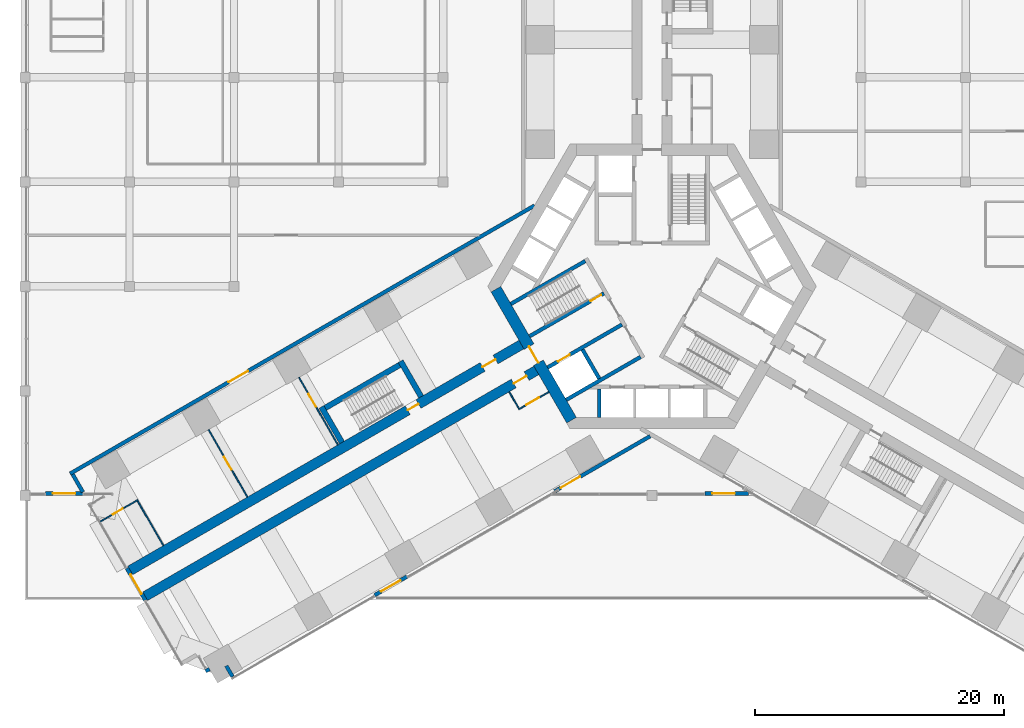
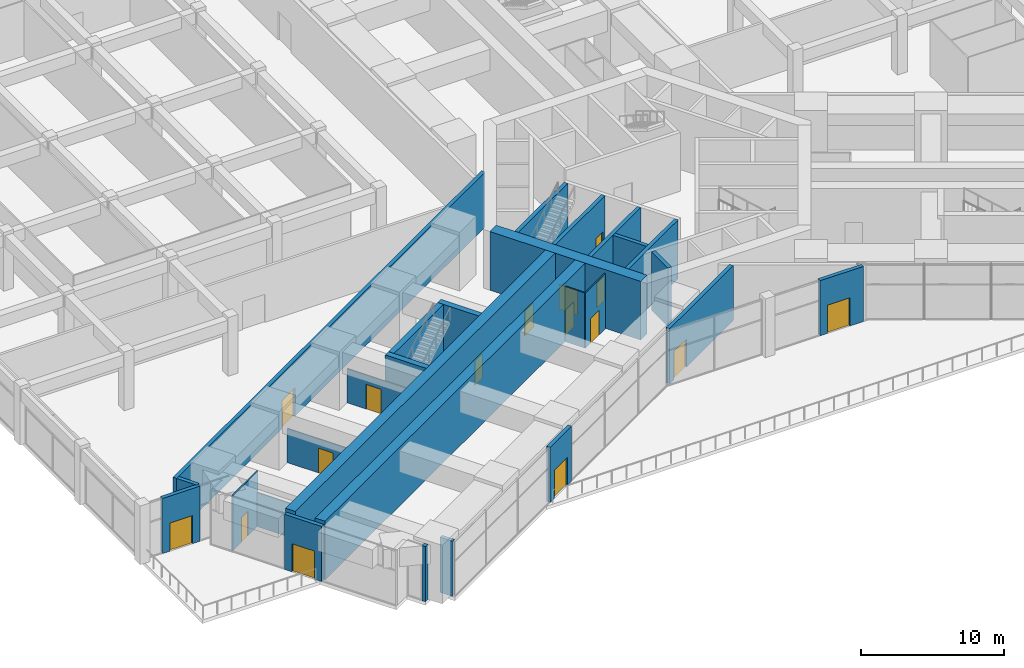
# One storey, part 27 of 34: 27 walls, 16 doors, 16 openings.
"""IFC4 building model written with IfcOpenShell, lengths in metres."""

from ifc_helpers import new_model, si_unit, direction, frame, frame_2d, origin, place, context, subcontext, project, spatial, rectangle, extrude, material, layer, layer_set, type_object, element, fill, save


model = new_model("IFC4")

# Units and contexts
model_context = context("Model", 3, precision=1e-05, world=origin(), true_north=direction((0.0, 1.0)))
body_context = subcontext(model_context, "Body", "Model", "MODEL_VIEW")
ifc_project = project(units=[si_unit("LENGTHUNIT", "METRE"), si_unit("AREAUNIT", "SQUARE_METRE"), si_unit("VOLUMEUNIT", "CUBIC_METRE"), si_unit("PLANEANGLEUNIT", "RADIAN"), si_unit("MASSUNIT", "GRAM", prefix="KILO")], contexts=[model_context])

# Site, building, storey
site_placement = place(None, origin())
site = spatial("IfcSite", under=ifc_project, at=site_placement, CompositionType="ELEMENT")
building_placement = place(site_placement, origin())
building = spatial("IfcBuilding", under=site, at=building_placement, Name="Impinga Residences", CompositionType="ELEMENT")
storey_placement = place(building_placement, frame((0.0, 0.0, 16.0)))
storey = spatial("IfcBuildingStorey", under=building, at=storey_placement, Name="L03", CompositionType="ELEMENT", Elevation=16.0)

# Wall, opening, door
ifc_material_1 = material(Name="Concrete C70/85", Category="concrete")
ifc_layer_1 = layer(ifc_material_1, 0.800048828125)
ifc_layer_set_1 = layer_set([ifc_layer_1], Name="Concrete C70/85")
wall_type_1 = type_object("IfcWallType", Name="BW0 corridor buttress wall, B3 to L04 800", PredefinedType="SHEAR", material=ifc_layer_set_1)
wall_1_placement = place(storey_placement, frame((-8.910400390625, -6.530029296875, 0.0), z_axis=(0.0, 0.0, 1.0), x_axis=(-0.866025284237, -0.500000207062, 0.0)))
wall_1 = element("IfcWall", 1, at=wall_1_placement, inside=storey, type_object=wall_type_1, Name="Corridor wall BW0 WC L03", PredefinedType="SHEAR", context=body_context, shape_type="SweptSolid", body=[
    extrude(rectangle(XDim=36.75, YDim=0.800048828125, at=frame_2d((18.375, 0.0))), origin(), (0.0, 0.0, 1.0), 5.0),
])
opening_1_placement = place(wall_1_placement, frame((1.35009765625, 0.0, 0.0)))
opening_1 = element("IfcOpeningElement", 2, at=opening_1_placement, cuts=wall_1, Name="Opening D3", PredefinedType="OPENING", context=body_context, shape_type="SweptSolid", body=[
    extrude(rectangle(XDim=1.199951171875, YDim=2.10009765625, at=frame_2d((0.60009765625, 1.050048828125))), frame((0.0, 0.409912109375, 0.0), z_axis=(0.0, -1.0, 0.0), x_axis=(1.0, 0.0, 0.0)), (0.0, 0.0, 1.0), 0.820068359375),
])
ifc_material_2 = material(Name="Timber door set", Category="wood")
door_type_1 = type_object("IfcDoorType", Name="D3 room door, leaf and a half 1200x2100", OperationType="DOUBLE_SWING_LEFT", PredefinedType="DOOR", material=ifc_material_2)
door_1_placement = place(opening_1_placement, origin())
door_1 = element("IfcDoor", 3, at=door_1_placement, inside=storey, type_object=door_type_1, Name="Store lobby door L03-WA1", OperationType="DOUBLE_SWING_LEFT", OverallHeight=2.10009765625, OverallWidth=1.199951171875, PredefinedType="DOOR", context=body_context, shape_type="SweptSolid", body=[
    extrude(rectangle(XDim=1.199951171875, YDim=2.10009765625, at=frame_2d((0.60009765625, 1.050048828125))), frame((0.0, 0.02490234375, 0.0), z_axis=(0.0, -1.0, 0.0), x_axis=(1.0, 0.0, 0.0)), (0.0, 0.0, 1.0), 0.050048828125),
])
fill(opening_1, door_1)

# Wall, openings, doors
wall_2_placement = place(storey_placement, frame((-10.1103515625, -4.451416015625, 0.0), z_axis=(0.0, 0.0, 1.0), x_axis=(-0.866025284237, -0.500000207062, 0.0)))
wall_2 = element("IfcWall", 4, at=wall_2_placement, inside=storey, type_object=wall_type_1, Name="Corridor wall BW0 WD L03", PredefinedType="SHEAR", context=body_context, shape_type="SweptSolid", body=[
    extrude(rectangle(XDim=36.75, YDim=0.800048828125, at=frame_2d((18.375, 0.0))), origin(), (0.0, 0.0, 1.0), 5.0),
])
opening_2_placement = place(wall_2_placement, frame((10.0, 0.0, 0.0)))
opening_2 = element("IfcOpeningElement", 5, at=opening_2_placement, cuts=wall_2, Name="Opening D5", PredefinedType="OPENING", context=body_context, shape_type="SweptSolid", body=[
    extrude(rectangle(XDim=1.0, YDim=2.10009765625, at=frame_2d((0.5, 1.050048828125))), frame((0.0, 0.409912109375, 0.0), z_axis=(0.0, -1.0, 0.0), x_axis=(1.0, 0.0, 0.0)), (0.0, 0.0, 1.0), 0.820068359375),
])
opening_3_placement = place(wall_2_placement, frame((2.85009765625, 0.0, 0.0)))
opening_3 = element("IfcOpeningElement", 6, at=opening_3_placement, cuts=wall_2, Name="Opening D3", PredefinedType="OPENING", context=body_context, shape_type="SweptSolid", body=[
    extrude(rectangle(XDim=1.199951171875, YDim=2.10009765625, at=frame_2d((0.60009765625, 1.050048828125))), frame((0.0, 0.409912109375, 0.0), z_axis=(0.0, -1.0, 0.0), x_axis=(1.0, 0.0, 0.0)), (0.0, 0.0, 1.0), 0.820068359375),
])
door_2_placement = place(opening_3_placement, origin())
door_2 = element("IfcDoor", 7, at=door_2_placement, inside=storey, type_object=door_type_1, Name="Bridal suite door L03-WF1", OperationType="DOUBLE_SWING_LEFT", OverallHeight=2.10009765625, OverallWidth=1.199951171875, PredefinedType="DOOR", context=body_context, shape_type="SweptSolid", body=[
    extrude(rectangle(XDim=1.199951171875, YDim=2.10009765625, at=frame_2d((0.60009765625, 1.050048828125))), frame((0.0, 0.02490234375, 0.0), z_axis=(0.0, -1.0, 0.0), x_axis=(1.0, 0.0, 0.0)), (0.0, 0.0, 1.0), 0.050048828125),
])
fill(opening_3, door_2)
door_type_2 = type_object("IfcDoorType", Name="D5 stair door 1000x2100", OperationType="SINGLE_SWING_LEFT", PredefinedType="DOOR", material=ifc_material_2)
door_3_placement = place(opening_2_placement, origin())
door_3 = element("IfcDoor", 8, at=door_3_placement, inside=storey, type_object=door_type_2, Name="Wing stair door W", OperationType="SINGLE_SWING_LEFT", OverallHeight=2.10009765625, OverallWidth=1.0, PredefinedType="DOOR", context=body_context, shape_type="SweptSolid", body=[
    extrude(rectangle(XDim=1.0, YDim=2.10009765625, at=frame_2d((0.5, 1.050048828125))), frame((0.0, 0.02490234375, 0.0), z_axis=(0.0, -1.0, 0.0), x_axis=(1.0, 0.0, 0.0)), (0.0, 0.0, 1.0), 0.050048828125),
])
fill(opening_2, door_3)

# Wall, opening, door
ifc_material_3 = material(Name="Concrete blockwork", Category="masonry")
ifc_layer_2 = layer(ifc_material_3, 0.10009765625)
ifc_layer_set_2 = layer_set([ifc_layer_2], Name="CP1 core room partition, blockwork 100")
wall_type_2 = type_object("IfcWallType", Name="CP1 core room partition, blockwork 100", PredefinedType="PARTITIONING", material=ifc_layer_set_2)
wall_3_placement = place(storey_placement, frame((-8.300048828125, -8.487060546875, 0.0), z_axis=(0.0, 0.0, 1.0), x_axis=(-0.866034573852, -0.49998411664, 0.0)))
wall_3 = element("IfcWall", 9, at=wall_3_placement, inside=storey, type_object=wall_type_2, Name="Core room partition, blockwork L03-WA1:L1", PredefinedType="PARTITIONING", context=body_context, shape_type="SweptSolid", body=[
    extrude(rectangle(XDim=2.7998046875, YDim=0.10009765625, at=frame_2d((1.39990234375, 0.0))), origin(), (0.0, 0.0, 1.0), 4.699951171875),
])
opening_4_placement = place(wall_3_placement, frame((0.89990234375, 0.0, 0.0)))
opening_4 = element("IfcOpeningElement", 10, at=opening_4_placement, cuts=wall_3, Name="Opening D3", PredefinedType="OPENING", context=body_context, shape_type="SweptSolid", body=[
    extrude(rectangle(XDim=1.199951171875, YDim=2.10009765625, at=frame_2d((0.60009765625, 1.050048828125))), frame((0.0, 0.06005859375, 0.0), z_axis=(0.0, -1.0, 0.0), x_axis=(1.0, 0.0, 0.0)), (0.0, 0.0, 1.0), 0.1201171875),
])
door_4_placement = place(opening_4_placement, origin())
door_4 = element("IfcDoor", 11, at=door_4_placement, inside=storey, type_object=door_type_1, Name="Store door L03-WA1", OperationType="DOUBLE_SWING_LEFT", OverallHeight=2.10009765625, OverallWidth=1.199951171875, PredefinedType="DOOR", context=body_context, shape_type="SweptSolid", body=[
    extrude(rectangle(XDim=1.199951171875, YDim=2.10009765625, at=frame_2d((0.60009765625, 1.050048828125))), frame((0.0, 0.02490234375, 0.0), z_axis=(0.0, -1.0, 0.0), x_axis=(1.0, 0.0, 0.0)), (0.0, 0.0, 1.0), 0.050048828125),
])
fill(opening_4, door_4)

# Wall
wall_4_placement = place(storey_placement, frame((-11.481689453125, -8.476318359375, 0.0), z_axis=(0.0, 0.0, 1.0), x_axis=(0.500017819788, -0.86601511528, 0.0)))
element("IfcWall", 12, at=wall_4_placement, inside=storey, type_object=wall_type_2, Name="Core room partition, blockwork L03-WA1:L2", PredefinedType="PARTITIONING", context=body_context, shape_type="SweptSolid", body=[
    extrude(rectangle(XDim=1.55029296875, YDim=0.10009765625, at=frame_2d((0.775146484375, 0.0))), origin(), (0.0, 0.0, 1.0), 4.699951171875),
])

# Wall, opening, door
wall_5_placement = place(storey_placement, frame((-25.249267578125, -12.730224609375, 0.0), z_axis=(0.0, 0.0, 1.0), x_axis=(-0.499987320047, 0.866032724435, 0.0)))
wall_5 = element("IfcWall", 13, at=wall_5_placement, inside=storey, type_object=wall_type_2, Name="Core room partition, blockwork L03-WF1:PS1", PredefinedType="PARTITIONING", context=body_context, shape_type="SweptSolid", body=[
    extrude(rectangle(XDim=6.250244140625, YDim=0.10009765625, at=frame_2d((3.125, 0.0))), origin(), (0.0, 0.0, 1.0), 2.89990234375),
])
opening_5_placement = place(wall_5_placement, frame((3.52490234375, 0.0, 0.0)))
opening_5 = element("IfcOpeningElement", 14, at=opening_5_placement, cuts=wall_5, Name="Opening D3", PredefinedType="OPENING", context=body_context, shape_type="SweptSolid", body=[
    extrude(rectangle(XDim=1.199951171875, YDim=2.10009765625, at=frame_2d((0.60009765625, 1.050048828125))), frame((0.0, 0.06005859375, 0.0), z_axis=(0.0, -1.0, 0.0), x_axis=(1.0, 0.0, 0.0)), (0.0, 0.0, 1.0), 0.1201171875),
])
door_5_placement = place(opening_5_placement, origin())
door_5 = element("IfcDoor", 15, at=door_5_placement, inside=storey, type_object=door_type_1, Name="Dressing room door L03-WF1", OperationType="DOUBLE_SWING_LEFT", OverallHeight=2.10009765625, OverallWidth=1.199951171875, PredefinedType="DOOR", context=body_context, shape_type="SweptSolid", body=[
    extrude(rectangle(XDim=1.199951171875, YDim=2.10009765625, at=frame_2d((0.60009765625, 1.050048828125))), frame((0.0, 0.02490234375, 0.0), z_axis=(0.0, -1.0, 0.0), x_axis=(1.0, 0.0, 0.0)), (0.0, 0.0, 1.0), 0.050048828125),
])
fill(opening_5, door_5)

wall_6_placement = place(storey_placement, frame((-32.52392578125, -16.93017578125, 0.0), z_axis=(0.0, 0.0, 1.0), x_axis=(-0.500004234368, 0.866022959057, 0.0)))
wall_6 = element("IfcWall", 16, at=wall_6_placement, inside=storey, type_object=wall_type_2, Name="Core room partition, blockwork L03-WF1:PS2", PredefinedType="PARTITIONING", context=body_context, shape_type="SweptSolid", body=[
    extrude(rectangle(XDim=6.25, YDim=0.10009765625, at=frame_2d((3.125, 0.0))), origin(), (0.0, 0.0, 1.0), 2.89990234375),
])
opening_6_placement = place(wall_6_placement, frame((2.52490234375, 0.0, 0.0)))
opening_6 = element("IfcOpeningElement", 17, at=opening_6_placement, cuts=wall_6, Name="Opening D3", PredefinedType="OPENING", context=body_context, shape_type="SweptSolid", body=[
    extrude(rectangle(XDim=1.199951171875, YDim=2.10009765625, at=frame_2d((0.60009765625, 1.050048828125))), frame((0.0, 0.06005859375, 0.0), z_axis=(0.0, -1.0, 0.0), x_axis=(1.0, 0.0, 0.0)), (0.0, 0.0, 1.0), 0.1201171875),
])
door_6_placement = place(opening_6_placement, origin())
door_6 = element("IfcDoor", 18, at=door_6_placement, inside=storey, type_object=door_type_1, Name="Bridal lounge door L03-WF1", OperationType="DOUBLE_SWING_LEFT", OverallHeight=2.10009765625, OverallWidth=1.199951171875, PredefinedType="DOOR", context=body_context, shape_type="SweptSolid", body=[
    extrude(rectangle(XDim=1.199951171875, YDim=2.10009765625, at=frame_2d((0.60009765625, 1.050048828125))), frame((0.0, 0.02490234375, 0.0), z_axis=(0.0, -1.0, 0.0), x_axis=(1.0, 0.0, 0.0)), (0.0, 0.0, 1.0), 0.050048828125),
])
fill(opening_6, door_6)

# Wall
ifc_material_4 = material(Name="Stone facing on blockwork", Category="masonry")
ifc_layer_3 = layer(ifc_material_4, 0.300048828125)
ifc_layer_set_3 = layer_set([ifc_layer_3], Name="EW2 external wall, stone facing on blockwork 300")
wall_type_3 = type_object("IfcWallType", Name="EW2 external wall, stone facing on blockwork 300", PredefinedType="SOLIDWALL", material=ifc_layer_set_3)
wall_7_placement = place(storey_placement, frame((-35.572021484375, -30.756591796875, 0.0), z_axis=(0.0, 0.0, 1.0), x_axis=(-0.865939549016, -0.500148675346, 0.0)))
element("IfcWall", 19, at=wall_7_placement, inside=storey, type_object=wall_type_3, Name="External wall EW2 L03", PredefinedType="SOLIDWALL", context=body_context, shape_type="SweptSolid", body=[
    extrude(rectangle(XDim=0.34716796875, YDim=0.300048828125, at=frame_2d((0.173583984375, 0.0))), origin(), (0.0, 0.0, 1.0), 4.699951171875),
])

# Wall, opening, door
wall_8_placement = place(storey_placement, frame((-40.716552734375, -25.23974609375, 0.0), z_axis=(0.0, 0.0, 1.0), x_axis=(-0.50002537861, 0.866010750942, 0.0)))
wall_8 = element("IfcWall", 20, at=wall_8_placement, inside=storey, type_object=wall_type_3, Name="External wall EW2 L03", PredefinedType="SOLIDWALL", context=body_context, shape_type="SweptSolid", body=[
    extrude(rectangle(XDim=2.999755859375, YDim=0.300048828125, at=frame_2d((1.5, 0.0))), origin(), (0.0, 0.0, 1.0), 4.699951171875),
])
opening_7_placement = place(wall_8_placement, frame((0.60009765625, 0.0, 0.0)))
opening_7 = element("IfcOpeningElement", 21, at=opening_7_placement, cuts=wall_8, Name="Opening TD2", PredefinedType="OPENING", context=body_context, shape_type="SweptSolid", body=[
    extrude(rectangle(XDim=1.800048828125, YDim=2.39990234375, at=frame_2d((0.89990234375, 1.199951171875))), frame((0.0, 0.159912109375, 0.0), z_axis=(0.0, -1.0, 0.0), x_axis=(1.0, 0.0, 0.0)), (0.0, 0.0, 1.0), 0.320068359375),
])
ifc_material_5 = material(Name="Glazed aluminium door", Category="aluminium")
door_type_3 = type_object("IfcDoorType", Name="TD2 terrace door pair 1800x2400", OperationType="DOUBLE_DOOR_SINGLE_SWING", PredefinedType="DOOR", material=ifc_material_5)
door_7_placement = place(opening_7_placement, origin())
door_7 = element("IfcDoor", 22, at=door_7_placement, inside=storey, type_object=door_type_3, Name="Terrace doors L03", OperationType="DOUBLE_DOOR_SINGLE_SWING", OverallHeight=2.39990234375, OverallWidth=1.800048828125, PredefinedType="DOOR", context=body_context, shape_type="SweptSolid", body=[
    extrude(rectangle(XDim=1.800048828125, YDim=2.39990234375, at=frame_2d((0.89990234375, 1.199951171875))), frame((0.0, 0.02490234375, 0.0), z_axis=(0.0, -1.0, 0.0), x_axis=(1.0, 0.0, 0.0)), (0.0, 0.0, 1.0), 0.050048828125),
])
fill(opening_7, door_7)

wall_9_placement = place(storey_placement, frame((-45.749267578125, -16.64990234375, 0.0), z_axis=(0.0, 0.0, 1.0), x_axis=(-1.0, 0.0, 0.0)))
wall_9 = element("IfcWall", 23, at=wall_9_placement, inside=storey, type_object=wall_type_3, Name="External wall EW2 L03", PredefinedType="SOLIDWALL", context=body_context, shape_type="SweptSolid", body=[
    extrude(rectangle(XDim=3.0, YDim=0.300048828125, at=frame_2d((1.5, 0.0))), origin(), (0.0, 0.0, 1.0), 4.699951171875),
])
opening_8_placement = place(wall_9_placement, frame((0.60009765625, 0.0, 0.0)))
opening_8 = element("IfcOpeningElement", 24, at=opening_8_placement, cuts=wall_9, Name="Opening TD2", PredefinedType="OPENING", context=body_context, shape_type="SweptSolid", body=[
    extrude(rectangle(XDim=1.800048828125, YDim=2.39990234375, at=frame_2d((0.89990234375, 1.199951171875))), frame((0.0, 0.159912109375, 0.0), z_axis=(0.0, -1.0, 0.0), x_axis=(1.0, 0.0, 0.0)), (0.0, 0.0, 1.0), 0.320068359375),
])
door_8_placement = place(opening_8_placement, origin())
door_8 = element("IfcDoor", 25, at=door_8_placement, inside=storey, type_object=door_type_3, Name="Terrace doors L03", OperationType="DOUBLE_DOOR_SINGLE_SWING", OverallHeight=2.39990234375, OverallWidth=1.800048828125, PredefinedType="DOOR", context=body_context, shape_type="SweptSolid", body=[
    extrude(rectangle(XDim=1.800048828125, YDim=2.39990234375, at=frame_2d((0.89990234375, 1.199951171875))), frame((0.0, 0.02490234375, 0.0), z_axis=(0.0, -1.0, 0.0), x_axis=(1.0, 0.0, 0.0)), (0.0, 0.0, 1.0), 0.050048828125),
])
fill(opening_8, door_8)

wall_10_placement = place(storey_placement, frame((7.740966796875, -16.64990234375, 0.0), z_axis=(0.0, 0.0, 1.0), x_axis=(-1.0, 0.0, 0.0)))
wall_10 = element("IfcWall", 26, at=wall_10_placement, inside=storey, type_object=wall_type_3, Name="External wall EW2 L03", PredefinedType="SOLIDWALL", context=body_context, shape_type="SweptSolid", body=[
    extrude(rectangle(XDim=3.489501953125, YDim=0.300048828125, at=frame_2d((1.74462890625, 0.0))), origin(), (0.0, 0.0, 1.0), 4.699951171875),
])
opening_9_placement = place(wall_10_placement, frame((1.08935546875, 0.0, 0.0)))
opening_9 = element("IfcOpeningElement", 27, at=opening_9_placement, cuts=wall_10, Name="Opening TD2", PredefinedType="OPENING", context=body_context, shape_type="SweptSolid", body=[
    extrude(rectangle(XDim=1.800048828125, YDim=2.39990234375, at=frame_2d((0.89990234375, 1.199951171875))), frame((0.0, 0.159912109375, 0.0), z_axis=(0.0, -1.0, 0.0), x_axis=(1.0, 0.0, 0.0)), (0.0, 0.0, 1.0), 0.320068359375),
])
door_9_placement = place(opening_9_placement, origin())
door_9 = element("IfcDoor", 28, at=door_9_placement, inside=storey, type_object=door_type_3, Name="Terrace doors L03", OperationType="DOUBLE_DOOR_SINGLE_SWING", OverallHeight=2.39990234375, OverallWidth=1.800048828125, PredefinedType="DOOR", context=body_context, shape_type="SweptSolid", body=[
    extrude(rectangle(XDim=1.800048828125, YDim=2.39990234375, at=frame_2d((0.89990234375, 1.199951171875))), frame((0.0, 0.02490234375, 0.0), z_axis=(0.0, -1.0, 0.0), x_axis=(1.0, 0.0, 0.0)), (0.0, 0.0, 1.0), 0.050048828125),
])
fill(opening_9, door_9)

wall_11_placement = place(storey_placement, frame((-19.699462890625, -23.32470703125, 0.0), z_axis=(0.0, 0.0, 1.0), x_axis=(-0.866031096941, -0.499990139034, 0.0)))
wall_11 = element("IfcWall", 29, at=wall_11_placement, inside=storey, type_object=wall_type_3, Name="External wall EW2 L03", PredefinedType="SOLIDWALL", context=body_context, shape_type="SweptSolid", body=[
    extrude(rectangle(XDim=3.0, YDim=0.300048828125, at=frame_2d((1.5, 0.0))), origin(), (0.0, 0.0, 1.0), 4.699951171875),
])
opening_10_placement = place(wall_11_placement, frame((0.60009765625, 0.0, 0.0)))
opening_10 = element("IfcOpeningElement", 30, at=opening_10_placement, cuts=wall_11, Name="Opening TD2", PredefinedType="OPENING", context=body_context, shape_type="SweptSolid", body=[
    extrude(rectangle(XDim=1.800048828125, YDim=2.39990234375, at=frame_2d((0.89990234375, 1.199951171875))), frame((0.0, 0.159912109375, 0.0), z_axis=(0.0, -1.0, 0.0), x_axis=(1.0, 0.0, 0.0)), (0.0, 0.0, 1.0), 0.320068359375),
])
door_10_placement = place(opening_10_placement, origin())
door_10 = element("IfcDoor", 31, at=door_10_placement, inside=storey, type_object=door_type_3, Name="Terrace doors L03", OperationType="DOUBLE_DOOR_SINGLE_SWING", OverallHeight=2.39990234375, OverallWidth=1.800048828125, PredefinedType="DOOR", context=body_context, shape_type="SweptSolid", body=[
    extrude(rectangle(XDim=1.800048828125, YDim=2.39990234375, at=frame_2d((0.89990234375, 1.199951171875))), frame((0.0, 0.02490234375, 0.0), z_axis=(0.0, -1.0, 0.0), x_axis=(1.0, 0.0, 0.0)), (0.0, 0.0, 1.0), 0.050048828125),
])
fill(opening_10, door_10)

# Wall
wall_12_placement = place(storey_placement, frame((-33.716064453125, -31.365234375, 0.0), z_axis=(0.0, 0.0, 1.0), x_axis=(-0.499953773667, 0.866052090925, 0.0)))
element("IfcWall", 32, at=wall_12_placement, inside=storey, type_object=wall_type_3, Name="External wall EW2 L03", PredefinedType="SOLIDWALL", context=body_context, shape_type="SweptSolid", body=[
    extrude(rectangle(XDim=1.0048828125, YDim=0.300048828125, at=frame_2d((0.50244140625, 0.0))), origin(), (0.0, 0.0, 1.0), 4.699951171875),
])

# Wall, opening, door
ifc_material_6 = material(Name="Gypsum board on steel studs", Category="steel")
ifc_layer_4 = layer(ifc_material_6, 0.10009765625)
ifc_layer_set_4 = layer_set([ifc_layer_4], Name="Gypsum board on steel studs")
wall_type_4 = type_object("IfcWallType", Name="IP1 partition 100", PredefinedType="PARTITIONING", material=ifc_layer_set_4)
wall_13_placement = place(storey_placement, frame((-41.33544921875, -17.167724609375, 0.0), z_axis=(0.0, 0.0, 1.0), x_axis=(-0.866020032806, -0.500009302692, 0.0)))
wall_13 = element("IfcWall", 33, at=wall_13_placement, inside=storey, type_object=wall_type_4, Name="Partition L03-WF1:WC3A", PredefinedType="PARTITIONING", context=body_context, shape_type="SweptSolid", body=[
    extrude(rectangle(XDim=3.4873046875, YDim=0.10009765625, at=frame_2d((1.74365234375, 0.0))), origin(), (0.0, 0.0, 1.0), 4.699951171875),
])
opening_11_placement = place(wall_13_placement, frame((1.39990234375, 0.0, 0.0)))
opening_11 = element("IfcOpeningElement", 34, at=opening_11_placement, cuts=wall_13, Name="Opening D2", PredefinedType="OPENING", context=body_context, shape_type="SweptSolid", body=[
    extrude(rectangle(XDim=0.89990234375, YDim=2.10009765625, at=frame_2d((0.449951171875, 1.050048828125))), frame((0.0, 0.06005859375, 0.0), z_axis=(0.0, -1.0, 0.0), x_axis=(1.0, 0.0, 0.0)), (0.0, 0.0, 1.0), 0.1201171875),
])
door_type_4 = type_object("IfcDoorType", Name="D2 internal door 900x2100", OperationType="SINGLE_SWING_LEFT", PredefinedType="DOOR", material=ifc_material_2)
door_11_placement = place(opening_11_placement, origin())
door_11 = element("IfcDoor", 35, at=door_11_placement, inside=storey, type_object=door_type_4, Name="Bridal WC door L03-WF1", OperationType="SINGLE_SWING_RIGHT", OverallHeight=2.10009765625, OverallWidth=0.89990234375, PredefinedType="DOOR", context=body_context, shape_type="SweptSolid", body=[
    extrude(rectangle(XDim=0.89990234375, YDim=2.10009765625, at=frame_2d((0.449951171875, 1.050048828125))), frame((0.0, 0.02490234375, 0.0), z_axis=(0.0, -1.0, 0.0), x_axis=(1.0, 0.0, 0.0)), (0.0, 0.0, 1.0), 0.050048828125),
])
fill(opening_11, door_11)

# Walls
wall_14_placement = place(storey_placement, frame((-39.27880859375, -20.830078125, 0.0), z_axis=(0.0, 0.0, 1.0), x_axis=(-0.499994284652, 0.866028703517, 0.0)))
element("IfcWall", 36, at=wall_14_placement, inside=storey, type_object=wall_type_4, Name="Partition L03-WF1:WC3B", PredefinedType="PARTITIONING", context=body_context, shape_type="SweptSolid", body=[
    extrude(rectangle(XDim=4.25, YDim=0.10009765625, at=frame_2d((2.125, 0.0))), origin(), (0.0, 0.0, 1.0), 2.89990234375),
])
ifc_layer_5 = layer(ifc_material_3, 0.300048828125)
ifc_layer_set_5 = layer_set([ifc_layer_5], Name="PW3 podium wall on the wing face 300")
wall_type_5 = type_object("IfcWallType", Name="PW3 podium wall on the wing face 300", PredefinedType="SOLIDWALL", material=ifc_layer_set_5)
wall_15_placement = place(storey_placement, frame((-45.744140625, -16.531982421875, 0.0), z_axis=(0.0, 0.0, 1.0), x_axis=(-0.50001794124, 0.866015045157, 0.0)))
element("IfcWall", 37, at=wall_15_placement, inside=storey, type_object=wall_type_5, Name="Podium wall on the wing face L03:END:WF", PredefinedType="SOLIDWALL", context=body_context, shape_type="SweptSolid", body=[
    extrude(rectangle(XDim=1.64501953125, YDim=0.300048828125, at=frame_2d((0.822509765625, 0.0))), origin(), (0.0, 0.0, 1.0), 4.699951171875),
])

# Wall, opening, door
wall_16_placement = place(storey_placement, frame((-0.14990234375, -12.037841796875, 0.0), z_axis=(0.0, 0.0, 1.0), x_axis=(-0.866033104117, -0.499986662396, 0.0)))
wall_16 = element("IfcWall", 38, at=wall_16_placement, inside=storey, type_object=wall_type_5, Name="Podium wall on the wing face L03:SIDE:WA0", PredefinedType="SOLIDWALL", context=body_context, shape_type="SweptSolid", body=[
    extrude(rectangle(XDim=8.878662109375, YDim=0.300048828125, at=frame_2d((4.439453125, 0.0))), origin(), (0.0, 0.0, 1.0), 4.699951171875),
])
opening_12_placement = place(wall_16_placement, frame((6.50439453125, 0.0, 0.0)))
opening_12 = element("IfcOpeningElement", 39, at=opening_12_placement, cuts=wall_16, Name="Opening D7", PredefinedType="OPENING", context=body_context, shape_type="SweptSolid", body=[
    extrude(rectangle(XDim=1.800048828125, YDim=2.39990234375, at=frame_2d((0.89990234375, 1.199951171875))), frame((0.0, 0.159912109375, 0.0), z_axis=(0.0, -1.0, 0.0), x_axis=(1.0, 0.0, 0.0)), (0.0, 0.0, 1.0), 0.320068359375),
])
door_type_5 = type_object("IfcDoorType", Name="D7 podium door pair 1800x2400", OperationType="DOUBLE_DOOR_DOUBLE_SWING", PredefinedType="DOOR", material=ifc_material_2)
door_12_placement = place(opening_12_placement, origin())
door_12 = element("IfcDoor", 40, at=door_12_placement, inside=storey, type_object=door_type_5, Name="Double door WA", OperationType="DOUBLE_DOOR_DOUBLE_SWING", OverallHeight=2.39990234375, OverallWidth=1.800048828125, PredefinedType="DOOR", context=body_context, shape_type="SweptSolid", body=[
    extrude(rectangle(XDim=1.800048828125, YDim=2.39990234375, at=frame_2d((0.89990234375, 1.199951171875))), frame((0.0, 0.02490234375, 0.0), z_axis=(0.0, -1.0, 0.0), x_axis=(1.0, 0.0, 0.0)), (0.0, 0.0, 1.0), 0.050048828125),
])
fill(opening_12, door_12)

wall_17_placement = place(storey_placement, frame((-9.449951171875, 6.4951171875, 0.0), z_axis=(0.0, 0.0, 1.0), x_axis=(-0.866025301493, -0.500000177174, 0.0)))
wall_17 = element("IfcWall", 41, at=wall_17_placement, inside=storey, type_object=wall_type_5, Name="Podium wall on the wing face L03:SIDE:WF0", PredefinedType="SOLIDWALL", context=body_context, shape_type="SweptSolid", body=[
    extrude(rectangle(XDim=43.09521484375, YDim=0.300048828125, at=frame_2d((21.547607421875, 0.0))), origin(), (0.0, 0.0, 1.0), 4.699951171875),
])
opening_13_placement = place(wall_17_placement, frame((26.59521484375, 0.0, 0.0)))
opening_13 = element("IfcOpeningElement", 42, at=opening_13_placement, cuts=wall_17, Name="Opening D7", PredefinedType="OPENING", context=body_context, shape_type="SweptSolid", body=[
    extrude(rectangle(XDim=1.800048828125, YDim=2.39990234375, at=frame_2d((0.89990234375, 1.199951171875))), frame((0.0, 0.159912109375, 0.0), z_axis=(0.0, -1.0, 0.0), x_axis=(1.0, 0.0, 0.0)), (0.0, 0.0, 1.0), 0.320068359375),
])
door_13_placement = place(opening_13_placement, origin())
door_13 = element("IfcDoor", 43, at=door_13_placement, inside=storey, type_object=door_type_5, Name="Double door WF", OperationType="DOUBLE_DOOR_DOUBLE_SWING", OverallHeight=2.39990234375, OverallWidth=1.800048828125, PredefinedType="DOOR", context=body_context, shape_type="SweptSolid", body=[
    extrude(rectangle(XDim=1.800048828125, YDim=2.39990234375, at=frame_2d((0.89990234375, 1.199951171875))), frame((0.0, 0.02490234375, 0.0), z_axis=(0.0, -1.0, 0.0), x_axis=(1.0, 0.0, 0.0)), (0.0, 0.0, 1.0), 0.050048828125),
])
fill(opening_13, door_13)

# Walls
ifc_material_7 = material(Name="Concrete C60/75", Category="concrete")
ifc_layer_6 = layer(ifc_material_7, 0.449951171875)
ifc_layer_set_6 = layer_set([ifc_layer_6], Name="Concrete C60/75")
wall_type_6 = type_object("IfcWallType", Name="SE2 wing stair enclosure wall, ground and podium storeys 450", PredefinedType="SOLIDWALL", material=ifc_layer_set_6)
for number, where, z_axis, x_axis, name in (
    (44, (-18.55908203125, -8.86767578125, 0.0), (0.0, 0.0, 1.0), (-0.50002983664, 0.866008176907, 0.0), "Stair enclosure wall SE2 W END0 L03"),
    (45, (-24.924560546875, -12.542724609375, 0.0), (0.0, 0.0, 1.0), (-0.499974350878, 0.866040211805, 0.0), "Stair enclosure wall SE2 W END1 L03"),
):
    element("IfcWall", number, at=place(storey_placement, frame(where, z_axis=z_axis, x_axis=x_axis)), inside=storey, type_object=wall_type_6, Name=name, PredefinedType="SOLIDWALL", context=body_context, shape_type="SweptSolid", body=[
        extrude(rectangle(XDim=3.300048828125, YDim=0.449951171875, at=frame_2d((1.64990234375, 0.0))), origin(), (0.0, 0.0, 1.0), 5.0),
    ])
wall_18_placement = place(storey_placement, frame((-20.29150390625, -6.317138671875, 0.0), z_axis=(0.0, 0.0, 1.0), x_axis=(-0.866028853923, -0.499994024137, 0.0)))
element("IfcWall", 46, at=wall_18_placement, inside=storey, type_object=wall_type_6, Name="Stair enclosure wall SE2 W OUT L03", PredefinedType="SOLIDWALL", context=body_context, shape_type="SweptSolid", body=[
    extrude(rectangle(XDim=6.89990234375, YDim=0.449951171875, at=frame_2d((3.449951171875, 0.0))), origin(), (0.0, 0.0, 1.0), 5.0),
])

# Wall, opening, door
ifc_layer_7 = layer(ifc_material_1, 0.89990234375)
ifc_layer_set_7 = layer_set([ifc_layer_7], Name="Concrete C70/85")
wall_type_7 = type_object("IfcWallType", Name="SW1 core wall 900", PredefinedType="SHEAR", material=ifc_layer_set_7)
wall_19_placement = place(storey_placement, frame((-6.47021484375, -10.756591796875, 0.0), z_axis=(0.0, 0.0, 1.0), x_axis=(-0.499997612506, 0.8660267822, 0.0)))
wall_19 = element("IfcWall", 47, at=wall_19_placement, inside=storey, type_object=wall_type_7, Name="Core wall SW1 W:FACE L03", PredefinedType="SHEAR", context=body_context, shape_type="SweptSolid", body=[
    extrude(rectangle(XDim=12.16064453125, YDim=0.89990234375, at=frame_2d((6.080322265625, 0.0))), origin(), (0.0, 0.0, 1.0), 5.0),
])
opening_14_placement = place(wall_19_placement, frame((5.330322265625, 0.0, 0.0)))
opening_14 = element("IfcOpeningElement", 48, at=opening_14_placement, cuts=wall_19, Name="Opening D4", PredefinedType="OPENING", context=body_context, shape_type="SweptSolid", body=[
    extrude(rectangle(XDim=1.5, YDim=2.10009765625, at=frame_2d((0.75, 1.050048828125))), frame((0.0, 0.4599609375, 0.0), z_axis=(0.0, -1.0, 0.0), x_axis=(1.0, 0.0, 0.0)), (0.0, 0.0, 1.0), 0.919921875),
])
door_type_6 = type_object("IfcDoorType", Name="D4 lobby door pair 1500x2100", OperationType="DOUBLE_DOOR_DOUBLE_SWING", PredefinedType="DOOR", material=ifc_material_2)
door_14_placement = place(opening_14_placement, origin())
door_14 = element("IfcDoor", 49, at=door_14_placement, inside=storey, type_object=door_type_6, Name="Lobby door W", OperationType="DOUBLE_DOOR_DOUBLE_SWING", OverallHeight=2.10009765625, OverallWidth=1.5, PredefinedType="DOOR", context=body_context, shape_type="SweptSolid", body=[
    extrude(rectangle(XDim=1.5, YDim=2.10009765625, at=frame_2d((0.75, 1.050048828125))), frame((0.0, 0.02490234375, 0.0), z_axis=(0.0, -1.0, 0.0), x_axis=(1.0, 0.0, 0.0)), (0.0, 0.0, 1.0), 0.050048828125),
])
fill(opening_14, door_14)

ifc_layer_8 = layer(ifc_material_1, 0.300048828125)
ifc_layer_set_8 = layer_set([ifc_layer_8], Name="Concrete C70/85")
wall_type_8 = type_object("IfcWallType", Name="SW5 core inner wall, stairs, shafts and lobbies 300", PredefinedType="SHEAR", material=ifc_layer_set_8)
wall_20_placement = place(storey_placement, frame((-3.86865234375, -0.559326171875, 0.0), z_axis=(0.0, 0.0, 1.0), x_axis=(-0.86602711848, -0.499997030048, 0.0)))
wall_20 = element("IfcWall", 50, at=wall_20_placement, inside=storey, type_object=wall_type_8, Name="Core wall SW5 W:ST-IN L03", PredefinedType="SHEAR", context=body_context, shape_type="SweptSolid", body=[
    extrude(rectangle(XDim=6.9013671875, YDim=0.300048828125, at=frame_2d((3.45068359375, 0.0))), origin(), (0.0, 0.0, 1.0), 5.0),
])
opening_15_placement = place(wall_20_placement, frame((0.25, 0.0, 0.0)))
opening_15 = element("IfcOpeningElement", 51, at=opening_15_placement, cuts=wall_20, Name="Opening D5", PredefinedType="OPENING", context=body_context, shape_type="SweptSolid", body=[
    extrude(rectangle(XDim=1.0, YDim=2.10009765625, at=frame_2d((0.5, 1.050048828125))), frame((0.0, 0.159912109375, 0.0), z_axis=(0.0, -1.0, 0.0), x_axis=(1.0, 0.0, 0.0)), (0.0, 0.0, 1.0), 0.320068359375),
])
door_15_placement = place(opening_15_placement, origin())
door_15 = element("IfcDoor", 52, at=door_15_placement, inside=storey, type_object=door_type_2, Name="Stair door W", OperationType="SINGLE_SWING_LEFT", OverallHeight=2.10009765625, OverallWidth=1.0, PredefinedType="DOOR", context=body_context, shape_type="SweptSolid", body=[
    extrude(rectangle(XDim=1.0, YDim=2.10009765625, at=frame_2d((0.5, 1.050048828125))), frame((0.0, 0.02490234375, 0.0), z_axis=(0.0, -1.0, 0.0), x_axis=(1.0, 0.0, 0.0)), (0.0, 0.0, 1.0), 0.050048828125),
])
fill(opening_15, door_15)

# Wall
wall_21_placement = place(storey_placement, frame((-5.36865234375, 2.038818359375, 0.0), z_axis=(0.0, 0.0, 1.0), x_axis=(-0.86602711848, -0.499997030048, 0.0)))
element("IfcWall", 53, at=wall_21_placement, inside=storey, type_object=wall_type_8, Name="Core wall SW5 W:ST-OUT L03", PredefinedType="SHEAR", context=body_context, shape_type="SweptSolid", body=[
    extrude(rectangle(XDim=6.9013671875, YDim=0.300048828125, at=frame_2d((3.45068359375, 0.0))), origin(), (0.0, 0.0, 1.0), 5.0),
])

# Wall, opening, door
wall_22_placement = place(storey_placement, frame((-2.418701171875, -3.07080078125, 0.0), z_axis=(0.0, 0.0, 1.0), x_axis=(-0.86602711848, -0.499997030048, 0.0)))
wall_22 = element("IfcWall", 54, at=wall_22_placement, inside=storey, type_object=wall_type_8, Name="Core wall SW5 W:FF-IN L03", PredefinedType="SHEAR", context=body_context, shape_type="SweptSolid", body=[
    extrude(rectangle(XDim=6.9013671875, YDim=0.300048828125, at=frame_2d((3.45068359375, 0.0))), origin(), (0.0, 0.0, 1.0), 5.0),
])
opening_16_placement = place(wall_22_placement, frame((4.85009765625, 0.0, 0.0)))
opening_16 = element("IfcOpeningElement", 55, at=opening_16_placement, cuts=wall_22, Name="Opening LD2", PredefinedType="OPENING", context=body_context, shape_type="SweptSolid", body=[
    extrude(rectangle(XDim=1.10009765625, YDim=2.10009765625, at=frame_2d((0.550048828125, 1.050048828125))), frame((0.0, 0.159912109375, 0.0), z_axis=(0.0, -1.0, 0.0), x_axis=(1.0, 0.0, 0.0)), (0.0, 0.0, 1.0), 0.320068359375),
])
ifc_material_8 = material(Name="Steel lift landing door", Category="steel")
door_type_7 = type_object("IfcDoorType", Name="LD2 firefighting lift landing door 1100x2100", OperationType="DOUBLE_DOOR_SLIDING", PredefinedType="DOOR", material=ifc_material_8)
door_16_placement = place(opening_16_placement, origin())
door_16 = element("IfcDoor", 56, at=door_16_placement, inside=storey, type_object=door_type_7, Name="Firefighting lift landing door F2", OperationType="DOUBLE_DOOR_SLIDING", OverallHeight=2.10009765625, OverallWidth=1.10009765625, PredefinedType="DOOR", context=body_context, shape_type="SweptSolid", body=[
    extrude(rectangle(XDim=1.10009765625, YDim=2.10009765625, at=frame_2d((0.550048828125, 1.050048828125))), frame((0.0, 0.02490234375, 0.0), z_axis=(0.0, -1.0, 0.0), x_axis=(1.0, 0.0, 0.0)), (0.0, 0.0, 1.0), 0.050048828125),
])
fill(opening_16, door_16)

# Walls
wall_23_placement = place(storey_placement, frame((-0.918701171875, -5.668701171875, 0.0), z_axis=(0.0, 0.0, 1.0), x_axis=(-0.866011800373, -0.500023561059, 0.0)))
element("IfcWall", 57, at=wall_23_placement, inside=storey, type_object=wall_type_8, Name="Core wall SW5 W:FF-OUT L03", PredefinedType="SHEAR", context=body_context, shape_type="SweptSolid", body=[
    extrude(rectangle(XDim=6.901611328125, YDim=0.300048828125, at=frame_2d((3.45068359375, 0.0))), origin(), (0.0, 0.0, 1.0), 5.0),
])
wall_24_placement = place(storey_placement, frame((-4.2412109375, -7.413818359375, 0.0), z_axis=(0.0, 0.0, 1.0), x_axis=(-0.500048589285, 0.86599734893, 0.0)))
element("IfcWall", 58, at=wall_24_placement, inside=storey, type_object=wall_type_8, Name="Core wall SW5 W:FF-RS L03", PredefinedType="SHEAR", context=body_context, shape_type="SweptSolid", body=[
    extrude(rectangle(XDim=2.699951171875, YDim=0.300048828125, at=frame_2d((1.35009765625, 0.0))), origin(), (0.0, 0.0, 1.0), 5.0),
])
wall_25_placement = place(storey_placement, frame((-4.25, -8.2314453125, 0.0), z_axis=(0.0, 0.0, 1.0), x_axis=(0.0, -1.0, 0.0)))
element("IfcWall", 59, at=wall_25_placement, inside=storey, type_object=wall_type_8, Name="Core wall SW5 N:BANK-R L03", PredefinedType="SHEAR", context=body_context, shape_type="SweptSolid", body=[
    extrude(rectangle(XDim=2.300048828125, YDim=0.300048828125, at=frame_2d((1.14990234375, 0.0))), origin(), (0.0, 0.0, 1.0), 5.0),
])

save(model, "model.ifc")
